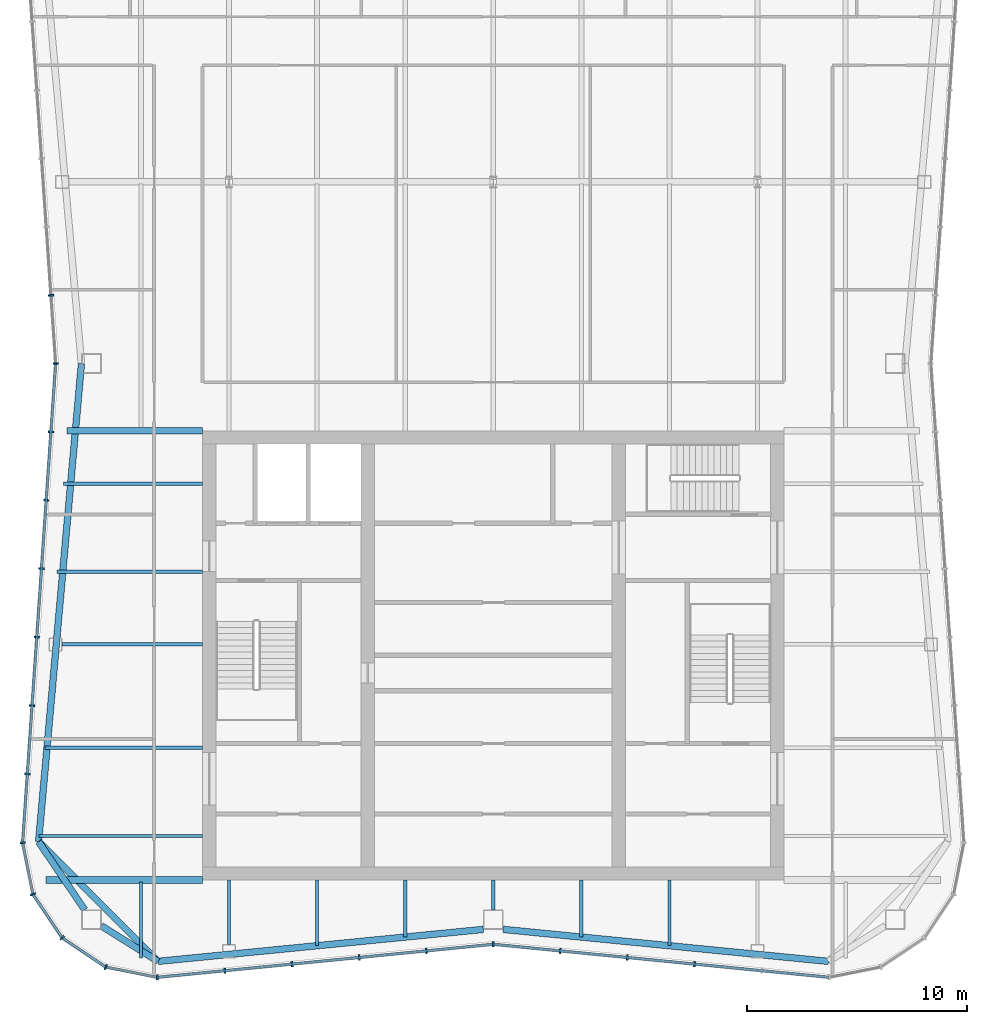
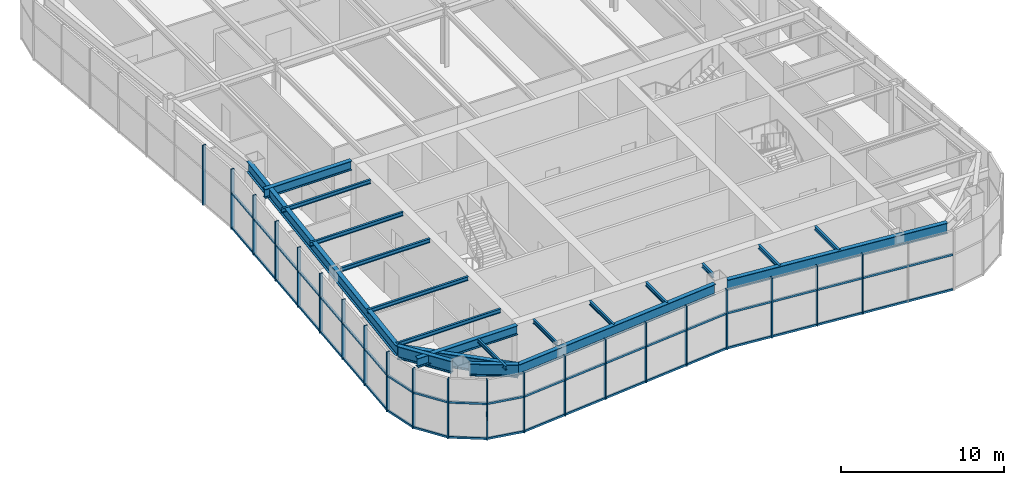
# One storey, part 3 of 13: 35 members, 20 beams, 3 elements without a shape of their own.
"""IFC4 building model written with IfcOpenShell, lengths in metres."""

import ifcopenshell
import ifcopenshell.guid

model = None  # the IFC model being written
_history = None  # IfcOwnerHistory: only IFC2X3 demands one
_inside = {}  # id of a spatial element -> (the spatial element, [elements in it])
_under = {}  # id of a project, library or spatial element -> (it, [spatial elements below it])
_declared = {}  # id of a project -> (the project, [libraries it declares])
_typed = {}  # id of a type object -> (the type object, [elements of that type])
_made_of = {}  # id of a material, layer set ... -> (it, [elements and type objects made of it])


def new_model(schema):
    """Start an empty IFC model of exactly this schema.

    Asked for "IFC4X3", IfcOpenShell would pick the latest addendum, in which some entities
    have other attributes; the version numbers below select the first issue.
    IFC2X3 requires an IfcOwnerHistory on every rooted entity: one is made here for all.
    """
    global model, _history
    if schema == "IFC4X3":
        model = ifcopenshell.file(schema_version=(4, 3, 0, 0))
    else:
        model = ifcopenshell.file(schema=schema)
    _inside.clear()
    _under.clear()
    _declared.clear()
    _typed.clear()
    _made_of.clear()
    _history = None
    if model.schema == "IFC2X3":
        org = make("IfcOrganization", Name="unknown")
        user = make(
            "IfcPersonAndOrganization",
            ThePerson=make("IfcPerson", FamilyName="unknown"),
            TheOrganization=org,
        )
        app = make(
            "IfcApplication",
            ApplicationDeveloper=org,
            Version="unknown",
            ApplicationFullName="unknown",
            ApplicationIdentifier="unknown",
        )
        _history = make(
            "IfcOwnerHistory",
            OwningUser=user,
            OwningApplication=app,
            ChangeAction="ADDED",
            CreationDate=0,
        )
    return model


def make(cls, **values):
    """One entity of the class cls with the attributes given. An attribute that is None is left unset."""
    return model.create_entity(
        cls, **{name: value for name, value in values.items() if value is not None}
    )


def rooted(cls, **values):
    """An entity with a GlobalId (a new one), such as an element, a storey or a relation."""
    return make(cls, GlobalId=ifcopenshell.guid.new(), OwnerHistory=_history, **values)


def si_unit(unit_type, name, prefix=None):
    """IfcSIUnit, for example si_unit("LENGTHUNIT", "METRE", prefix="MILLI")."""
    return make("IfcSIUnit", UnitType=unit_type, Prefix=prefix, Name=name)


def assignment(units):
    """IfcUnitAssignment: the units of a project."""
    return None if units is None else make("IfcUnitAssignment", Units=units)


def point(xyz):
    """IfcCartesianPoint."""
    return None if xyz is None else make("IfcCartesianPoint", Coordinates=xyz)


def direction(xyz):
    """IfcDirection."""
    return None if xyz is None else make("IfcDirection", DirectionRatios=xyz)


def frame(location, z_axis=None, x_axis=None):
    """IfcAxis2Placement3D, a coordinate frame: its origin and axes. An axis left out is left unset."""
    return make(
        "IfcAxis2Placement3D",
        Location=point(location),
        Axis=direction(z_axis),
        RefDirection=direction(x_axis),
    )


def frame_2d(location, x_axis=None):
    """IfcAxis2Placement2D, a coordinate frame in the plane: its origin and x axis."""
    return make(
        "IfcAxis2Placement2D", Location=point(location), RefDirection=direction(x_axis)
    )


def origin():
    """The frame at (0, 0, 0) with its axes left unset."""
    return frame((0.0, 0.0, 0.0))


def origin_2d():
    """The frame at (0, 0) in the plane with its x axis left unset."""
    return frame_2d((0.0, 0.0))


def place(relative_to, where):
    """IfcLocalPlacement: puts the frame where relative to a parent placement (None: the world)."""
    return make(
        "IfcLocalPlacement", PlacementRelTo=relative_to, RelativePlacement=where
    )


def context(
    kind, dimensions, precision=None, world=None, true_north=None, identifier=None
):
    """IfcGeometricRepresentationContext, for example the 3D "Model" context."""
    return make(
        "IfcGeometricRepresentationContext",
        ContextIdentifier=identifier,
        ContextType=kind,
        CoordinateSpaceDimension=dimensions,
        Precision=precision,
        WorldCoordinateSystem=world,
        TrueNorth=true_north,
    )


def subcontext(parent, identifier, kind, view, scale=None):
    """IfcGeometricRepresentationSubContext, for example "Body" below "Model"."""
    return make(
        "IfcGeometricRepresentationSubContext",
        ContextIdentifier=identifier,
        ContextType=kind,
        ParentContext=parent,
        TargetScale=scale,
        TargetView=view,
    )


def project(units=None, contexts=None):
    """IfcProject with its units and contexts."""
    return rooted(
        "IfcProject",
        Name="project",
        RepresentationContexts=contexts,
        UnitsInContext=assignment(units),
    )


def spatial(cls, under=None, at=None, **own):
    """A site, building, storey or space (cls), placed at a placement, below another one or the project."""
    s = rooted(cls, ObjectPlacement=at, **own)
    if under is not None:
        _under.setdefault(under.id(), (under, []))[1].append(s)
    return s


def profile(cls, at=None, kind="AREA", **sizes):
    """A parametric profile (cls). Its sizes go by their IFC names, for example OverallWidth=200.0."""
    return make(cls, ProfileType=kind, Position=at, **sizes)


def rectangle(**sizes):
    """IfcRectangleProfileDef."""
    return profile("IfcRectangleProfileDef", **sizes)


def i_section(**sizes):
    """IfcIShapeProfileDef."""
    return profile("IfcIShapeProfileDef", **sizes)


def extrude(swept, where, along, depth):
    """IfcExtrudedAreaSolid: the profile swept, set in the frame where, extruded along a direction by depth."""
    return make(
        "IfcExtrudedAreaSolid",
        SweptArea=swept,
        Position=where,
        ExtrudedDirection=direction(along),
        Depth=depth,
    )


def shape(context_of_items, identifier, shape_type, items):
    """IfcShapeRepresentation: the items that make up one representation, for example the "Body"."""
    return make(
        "IfcShapeRepresentation",
        ContextOfItems=context_of_items,
        RepresentationIdentifier=identifier,
        RepresentationType=shape_type,
        Items=items,
    )


def material(Name=None, Category=None):
    """IfcMaterial."""
    return make("IfcMaterial", Name=Name, Category=Category)


def material_profile(
    of_material, cross_section, Name=None, Category=None, Priority=None
):
    """IfcMaterialProfile: a cross section and its material."""
    return make(
        "IfcMaterialProfile",
        Name=Name,
        Material=of_material,
        Profile=cross_section,
        Priority=Priority,
        Category=Category,
    )


def profile_set(profiles, Name=None, composite=None):
    """IfcMaterialProfileSet."""
    return make(
        "IfcMaterialProfileSet",
        Name=Name,
        MaterialProfiles=profiles,
        CompositeProfile=composite,
    )


def made_of(thing, what):
    """Note that an element or type object is made of a material, layer set ...; save() writes the relation."""
    if what is not None:
        _made_of.setdefault(what.id(), (what, []))[1].append(thing)
    return thing


def type_object(cls, material=None, **own):
    """A type object (cls), such as IfcWallType, which elements share."""
    return made_of(rooted(cls, **own), material)


def element(
    cls,
    number,
    at=None,
    inside=None,
    cuts=None,
    type_object=None,
    material=None,
    context=None,
    identifier="Body",
    shape_type=None,
    held_by="IfcProductDefinitionShape",
    body=None,
    shapes=None,
    **own,
):
    """One element of the class cls, such as IfcWall. Its Tag is "e" and its number.

    at: its placement. inside: the storey or other place that contains it. cuts: it is an
    opening in that element (IfcRelVoidsElement). A single representation is given by context,
    identifier, shape_type and body (its items); several are given by shapes. held_by: the class
    of the entity that holds the representations. save() writes the other relations.
    """
    e = rooted(cls, Tag="e%d" % number, ObjectPlacement=at, **own)
    if body is not None:
        shapes = [shape(context, identifier, shape_type, body)]
    if shapes is not None:
        e.Representation = make(held_by, Representations=shapes)
    if inside is not None:
        _inside.setdefault(inside.id(), (inside, []))[1].append(e)
    if cuts is not None:
        rooted(
            "IfcRelVoidsElement", RelatingBuildingElement=cuts, RelatedOpeningElement=e
        )
    if type_object is not None:
        _typed.setdefault(type_object.id(), (type_object, []))[1].append(e)
    return made_of(e, material)


def aggregate(whole, parts):
    """IfcRelAggregates: a whole, such as a stair, and the parts it consists of."""
    return rooted("IfcRelAggregates", RelatingObject=whole, RelatedObjects=parts)


def save(model, path):
    """Write the relations noted so far, then the file.

    IfcRelAggregates (storeys below a building ...), IfcRelContainedInSpatialStructure (elements
    in a storey), IfcRelDefinesByType, IfcRelAssociatesMaterial and IfcRelDeclares: one each for
    every whole, place, type object, material and project.
    """
    for whole, parts in _under.values():
        aggregate(whole, parts)
    for where, things in _inside.values():
        rooted(
            "IfcRelContainedInSpatialStructure",
            RelatedElements=things,
            RelatingStructure=where,
        )
    for kind, things in _typed.values():
        rooted("IfcRelDefinesByType", RelatedObjects=things, RelatingType=kind)
    for what, things in _made_of.values():
        rooted("IfcRelAssociatesMaterial", RelatedObjects=things, RelatingMaterial=what)
    for by, libraries in _declared.values():
        rooted("IfcRelDeclares", RelatingContext=by, RelatedDefinitions=libraries)
    model.write(path)


model = new_model("IFC4")

# Units and contexts
model_context = context("Model", 3, precision=1e-05, world=origin(), true_north=direction((0.0, 1.0)))
body_context = subcontext(model_context, "Body", "Model", "MODEL_VIEW")
ifc_project = project(units=[si_unit("LENGTHUNIT", "METRE"), si_unit("AREAUNIT", "SQUARE_METRE"), si_unit("VOLUMEUNIT", "CUBIC_METRE"), si_unit("PLANEANGLEUNIT", "RADIAN"), si_unit("MASSUNIT", "GRAM", prefix="KILO")], contexts=[model_context])

# Site, building, storey
site_placement = place(None, origin())
site = spatial("IfcSite", under=ifc_project, at=site_placement, CompositionType="ELEMENT")
building_placement = place(site_placement, origin())
building = spatial("IfcBuilding", under=site, at=building_placement, Name="Verdant Reach Tower", CompositionType="ELEMENT")
storey_placement = place(building_placement, frame((0.0, 0.0, 359.5)))
storey = spatial("IfcBuildingStorey", under=building, at=storey_placement, Name="L81 Plant", CompositionType="ELEMENT", Elevation=359.5)

# Curtain wall, members
ifc_material_1 = material(Name="Anodised aluminium", Category="aluminium")
curtain_wall_type = type_object("IfcCurtainWallType", Name="EN-CW SYSTEM PLANT", PredefinedType="NOTDEFINED", material=ifc_material_1)
curtain_wall_1_placement = place(storey_placement, origin())
curtain_wall_1 = element("IfcCurtainWall", 1, at=curtain_wall_1_placement, inside=storey, type_object=curtain_wall_type, Name="Curtain wall west, L81", PredefinedType="NOTDEFINED")
ifc_material_profile_1 = material_profile(ifc_material_1, rectangle(XDim=0.238037109375, YDim=0.080078125, at=origin_2d()), Name="Mullion 80x240")
ifc_profile_set_1 = profile_set([ifc_material_profile_1], Name="Anodised aluminium")
member_type_1 = type_object("IfcMemberType", Name="EN-MULLION PLANT", PredefinedType="MULLION", material=ifc_profile_set_1)
member_1_placement = place(storey_placement, frame((-20.0830078125, 44.348876953125, -0.35009765625), z_axis=(0.0, 0.0, 1.0), x_axis=(-0.997630328423, -0.068802091615, 0.0)))
member_1 = element("IfcMember", 2, at=member_1_placement, type_object=member_type_1, Name="Mullion west face part 1 7, L81", PredefinedType="MULLION", context=body_context, shape_type="SweptSolid", body=[
    extrude(rectangle(XDim=0.238037109375, YDim=0.080078125, at=origin_2d()), origin(), (0.0, 0.0, 1.0), 4.5),
])
member_2_placement = place(storey_placement, frame((-19.868896484375, 41.25, -0.35009765625), z_axis=(0.0, 0.0, 1.0), x_axis=(-1.0, 0.0, 0.0)))
member_2 = element("IfcMember", 3, at=member_2_placement, type_object=member_type_1, Name="Mullion west face part 2 1, L81", PredefinedType="MULLION", context=body_context, shape_type="SweptSolid", body=[
    extrude(rectangle(XDim=0.238037109375, YDim=0.080078125, at=origin_2d()), origin(), (0.0, 0.0, 1.0), 4.5),
])
member_3_placement = place(storey_placement, frame((-20.0830078125, 38.151123046875, -0.35009765625), z_axis=(0.0, 0.0, 1.0), x_axis=(-0.997630328423, 0.068802091615, 0.0)))
member_3 = element("IfcMember", 4, at=member_3_placement, type_object=member_type_1, Name="Mullion west face part 2 2, L81", PredefinedType="MULLION", context=body_context, shape_type="SweptSolid", body=[
    extrude(rectangle(XDim=0.238037109375, YDim=0.080078125, at=origin_2d()), origin(), (0.0, 0.0, 1.0), 4.5),
])
member_4_placement = place(storey_placement, frame((-20.29736328125, 35.0439453125, -0.35009765625), z_axis=(0.0, 0.0, 1.0), x_axis=(-0.997630328423, 0.068802091615, 0.0)))
member_4 = element("IfcMember", 5, at=member_4_placement, type_object=member_type_1, Name="Mullion west face part 2 3, L81", PredefinedType="MULLION", context=body_context, shape_type="SweptSolid", body=[
    extrude(rectangle(XDim=0.238037109375, YDim=0.080078125, at=origin_2d()), origin(), (0.0, 0.0, 1.0), 4.5),
])
member_5_placement = place(storey_placement, frame((-20.511474609375, 31.936767578125, -0.35009765625), z_axis=(0.0, 0.0, 1.0), x_axis=(-0.997630328423, 0.068802091615, 0.0)))
member_5 = element("IfcMember", 6, at=member_5_placement, type_object=member_type_1, Name="Mullion west face part 2 4, L81", PredefinedType="MULLION", context=body_context, shape_type="SweptSolid", body=[
    extrude(rectangle(XDim=0.238037109375, YDim=0.080078125, at=origin_2d()), origin(), (0.0, 0.0, 1.0), 4.5),
])
member_6_placement = place(storey_placement, frame((-20.725830078125, 28.82958984375, -0.35009765625), z_axis=(0.0, 0.0, 1.0), x_axis=(-0.997630328423, 0.068802091615, 0.0)))
member_6 = element("IfcMember", 7, at=member_6_placement, type_object=member_type_1, Name="Mullion west face part 2 5, L81", PredefinedType="MULLION", context=body_context, shape_type="SweptSolid", body=[
    extrude(rectangle(XDim=0.238037109375, YDim=0.080078125, at=origin_2d()), origin(), (0.0, 0.0, 1.0), 4.5),
])
member_7_placement = place(storey_placement, frame((-20.940185546875, 25.722412109375, -0.35009765625), z_axis=(0.0, 0.0, 1.0), x_axis=(-0.997630328423, 0.068802091615, 0.0)))
member_7 = element("IfcMember", 8, at=member_7_placement, type_object=member_type_1, Name="Mullion west face part 2 6, L81", PredefinedType="MULLION", context=body_context, shape_type="SweptSolid", body=[
    extrude(rectangle(XDim=0.238037109375, YDim=0.080078125, at=origin_2d()), origin(), (0.0, 0.0, 1.0), 4.5),
])
member_8_placement = place(storey_placement, frame((-21.154541015625, 22.615234375, -0.35009765625), z_axis=(0.0, 0.0, 1.0), x_axis=(-0.997630328423, 0.068802091615, 0.0)))
member_8 = element("IfcMember", 9, at=member_8_placement, type_object=member_type_1, Name="Mullion west face part 2 7, L81", PredefinedType="MULLION", context=body_context, shape_type="SweptSolid", body=[
    extrude(rectangle(XDim=0.238037109375, YDim=0.080078125, at=origin_2d()), origin(), (0.0, 0.0, 1.0), 4.5),
])

curtain_wall_2_placement = place(storey_placement, origin())
curtain_wall_2 = element("IfcCurtainWall", 10, at=curtain_wall_2_placement, inside=storey, type_object=curtain_wall_type, Name="Curtain wall south-west corner, L81", PredefinedType="NOTDEFINED")
member_9_placement = place(storey_placement, frame((-21.36865234375, 19.492431640625, -0.35009765625), z_axis=(0.0, 0.0, 1.0), x_axis=(-0.997969180898, -0.063698618332, 0.0)))
member_9 = element("IfcMember", 11, at=member_9_placement, type_object=member_type_1, Name="Mullion south-west corner 1, L81", PredefinedType="MULLION", context=body_context, shape_type="SweptSolid", body=[
    extrude(rectangle(XDim=0.238037109375, YDim=0.080078125, at=origin_2d()), origin(), (0.0, 0.0, 1.0), 4.5),
])
member_10_placement = place(storey_placement, frame((-20.9033203125, 17.158447265625, -0.35009765625), z_axis=(0.0, 0.0, 1.0), x_axis=(-0.923875215753, -0.382693853776, 0.0)))
member_10 = element("IfcMember", 12, at=member_10_placement, type_object=member_type_1, Name="Mullion south-west corner 2, L81", PredefinedType="MULLION", context=body_context, shape_type="SweptSolid", body=[
    extrude(rectangle(XDim=0.238037109375, YDim=0.080078125, at=origin_2d()), origin(), (0.0, 0.0, 1.0), 4.5),
])
member_11_placement = place(storey_placement, frame((-19.57666015625, 15.17333984375, -0.35009765625), z_axis=(0.0, 0.0, 1.0), x_axis=(-0.707106781187, -0.707106781187, 0.0)))
member_11 = element("IfcMember", 13, at=member_11_placement, type_object=member_type_1, Name="Mullion south-west corner 3, L81", PredefinedType="MULLION", context=body_context, shape_type="SweptSolid", body=[
    extrude(rectangle(XDim=0.238037109375, YDim=0.080078125, at=origin_2d()), origin(), (0.0, 0.0, 1.0), 4.5),
])
member_12_placement = place(storey_placement, frame((-17.591552734375, 13.8466796875, -0.35009765625), z_axis=(0.0, 0.0, 1.0), x_axis=(-0.382693853776, -0.923875215753, 0.0)))
member_12 = element("IfcMember", 14, at=member_12_placement, type_object=member_type_1, Name="Mullion south-west corner 4, L81", PredefinedType="MULLION", context=body_context, shape_type="SweptSolid", body=[
    extrude(rectangle(XDim=0.238037109375, YDim=0.080078125, at=origin_2d()), origin(), (0.0, 0.0, 1.0), 4.5),
])

curtain_wall_3_placement = place(storey_placement, origin())
curtain_wall_3 = element("IfcCurtainWall", 15, at=curtain_wall_3_placement, inside=storey, type_object=curtain_wall_type, Name="Curtain wall south, L81", PredefinedType="NOTDEFINED")
member_13_placement = place(storey_placement, frame((-15.255859375, 13.381103515625, -0.35009765625), z_axis=(0.0, 0.0, 1.0), x_axis=(-0.049127596288, -0.998792510626, 0.0)))
member_13 = element("IfcMember", 16, at=member_13_placement, type_object=member_type_1, Name="Mullion south face part 1 1, L81", PredefinedType="MULLION", context=body_context, shape_type="SweptSolid", body=[
    extrude(rectangle(XDim=0.238037109375, YDim=0.080078125, at=origin_2d()), origin(), (0.0, 0.0, 1.0), 4.5),
])
member_14_placement = place(storey_placement, frame((-12.188232421875, 13.681640625, -0.35009765625), z_axis=(0.0, 0.0, 1.0), x_axis=(0.09788826992, -0.995197410875, 0.0)))
member_14 = element("IfcMember", 17, at=member_14_placement, type_object=member_type_1, Name="Mullion south face part 1 2, L81", PredefinedType="MULLION", context=body_context, shape_type="SweptSolid", body=[
    extrude(rectangle(XDim=0.238037109375, YDim=0.080078125, at=origin_2d()), origin(), (0.0, 0.0, 1.0), 4.5),
])
member_15_placement = place(storey_placement, frame((-9.138427734375, 13.981689453125, -0.35009765625), z_axis=(0.0, 0.0, 1.0), x_axis=(0.09788826992, -0.995197410875, 0.0)))
member_15 = element("IfcMember", 18, at=member_15_placement, type_object=member_type_1, Name="Mullion south face part 1 3, L81", PredefinedType="MULLION", context=body_context, shape_type="SweptSolid", body=[
    extrude(rectangle(XDim=0.238037109375, YDim=0.080078125, at=origin_2d()), origin(), (0.0, 0.0, 1.0), 4.5),
])
member_16_placement = place(storey_placement, frame((-6.08837890625, 14.281494140625, -0.35009765625), z_axis=(0.0, 0.0, 1.0), x_axis=(0.09788826992, -0.995197410875, 0.0)))
member_16 = element("IfcMember", 19, at=member_16_placement, type_object=member_type_1, Name="Mullion south face part 1 4, L81", PredefinedType="MULLION", context=body_context, shape_type="SweptSolid", body=[
    extrude(rectangle(XDim=0.238037109375, YDim=0.080078125, at=origin_2d()), origin(), (0.0, 0.0, 1.0), 4.5),
])
member_17_placement = place(storey_placement, frame((-3.038330078125, 14.58154296875, -0.35009765625), z_axis=(0.0, 0.0, 1.0), x_axis=(0.09788826992, -0.995197410875, 0.0)))
member_17 = element("IfcMember", 20, at=member_17_placement, type_object=member_type_1, Name="Mullion south face part 1 5, L81", PredefinedType="MULLION", context=body_context, shape_type="SweptSolid", body=[
    extrude(rectangle(XDim=0.238037109375, YDim=0.080078125, at=origin_2d()), origin(), (0.0, 0.0, 1.0), 4.5),
])
member_18_placement = place(storey_placement, frame((0.0, 14.881103515625, -0.35009765625), z_axis=(0.0, 0.0, 1.0), x_axis=(0.0, -1.0, 0.0)))
member_18 = element("IfcMember", 21, at=member_18_placement, type_object=member_type_1, Name="Mullion south face part 2 1, L81", PredefinedType="MULLION", context=body_context, shape_type="SweptSolid", body=[
    extrude(rectangle(XDim=0.238037109375, YDim=0.080078125, at=origin_2d()), origin(), (0.0, 0.0, 1.0), 4.5),
])
member_19_placement = place(storey_placement, frame((3.038330078125, 14.58154296875, -0.35009765625), z_axis=(0.0, 0.0, 1.0), x_axis=(-0.09788826992, -0.995197410875, 0.0)))
member_19 = element("IfcMember", 22, at=member_19_placement, type_object=member_type_1, Name="Mullion south face part 2 2, L81", PredefinedType="MULLION", context=body_context, shape_type="SweptSolid", body=[
    extrude(rectangle(XDim=0.238037109375, YDim=0.080078125, at=origin_2d()), origin(), (0.0, 0.0, 1.0), 4.5),
])
member_20_placement = place(storey_placement, frame((6.08837890625, 14.281494140625, -0.35009765625), z_axis=(0.0, 0.0, 1.0), x_axis=(-0.09788826992, -0.995197410875, 0.0)))
member_20 = element("IfcMember", 23, at=member_20_placement, type_object=member_type_1, Name="Mullion south face part 2 3, L81", PredefinedType="MULLION", context=body_context, shape_type="SweptSolid", body=[
    extrude(rectangle(XDim=0.238037109375, YDim=0.080078125, at=origin_2d()), origin(), (0.0, 0.0, 1.0), 4.5),
])
member_21_placement = place(storey_placement, frame((9.138427734375, 13.981689453125, -0.35009765625), z_axis=(0.0, 0.0, 1.0), x_axis=(-0.09788826992, -0.995197410875, 0.0)))
member_21 = element("IfcMember", 24, at=member_21_placement, type_object=member_type_1, Name="Mullion south face part 2 4, L81", PredefinedType="MULLION", context=body_context, shape_type="SweptSolid", body=[
    extrude(rectangle(XDim=0.238037109375, YDim=0.080078125, at=origin_2d()), origin(), (0.0, 0.0, 1.0), 4.5),
])

# Member
ifc_material_profile_2 = material_profile(ifc_material_1, rectangle(XDim=0.1201171875, YDim=0.14990234375, at=origin_2d()), Name="Transom 150x120")
ifc_profile_set_2 = profile_set([ifc_material_profile_2], Name="Anodised aluminium")
member_type_2 = type_object("IfcMemberType", Name="EN-TRANSOM PLANT", PredefinedType="USERDEFINED", material=ifc_profile_set_2)
member_22_placement = place(storey_placement, frame((-19.871826171875, 41.210205078125, -0.27490234375), z_axis=(-0.068761218296, -0.997633146431, 0.0), x_axis=(0.997633146431, -0.068761218296, 0.0)))
member_22 = element("IfcMember", 25, at=member_22_placement, type_object=member_type_2, Name="Transom west face part 2 1.1, L81", ObjectType="TRANSOM", PredefinedType="USERDEFINED", context=body_context, shape_type="SweptSolid", body=[
    extrude(rectangle(XDim=0.1201171875, YDim=0.14990234375, at=origin_2d()), origin(), (0.0, 0.0, 1.0), 21.7294921875),
])

member_23_placement = place(storey_placement, frame((-19.871826171875, 41.210205078125, 2.35009765625), z_axis=(-0.068761218296, -0.997633146431, 0.0), x_axis=(0.997633146431, -0.068761218296, 0.0)))
member_23 = element("IfcMember", 26, at=member_23_placement, type_object=member_type_2, Name="Transom west face part 2 1.2, L81", ObjectType="TRANSOM", PredefinedType="USERDEFINED", context=body_context, shape_type="SweptSolid", body=[
    extrude(rectangle(XDim=0.1201171875, YDim=0.14990234375, at=origin_2d()), origin(), (0.0, 0.0, 1.0), 21.7294921875),
])

aggregate(curtain_wall_1, [member_1, member_2, member_3, member_4, member_5, member_6, member_7, member_8, member_22, member_23])

member_24_placement = place(storey_placement, frame((-21.36083984375, 19.453125, -0.27490234375), z_axis=(0.195524121666, -0.980698892549, 0.0), x_axis=(0.980698892549, 0.195524121666, 0.0)))
member_24 = element("IfcMember", 27, at=member_24_placement, type_object=member_type_2, Name="Transom south-west corner 1.1, L81", ObjectType="TRANSOM", PredefinedType="USERDEFINED", context=body_context, shape_type="SweptSolid", body=[
    extrude(rectangle(XDim=0.1201171875, YDim=0.14990234375, at=origin_2d()), origin(), (0.0, 0.0, 1.0), 2.300048828125),
])

member_25_placement = place(storey_placement, frame((-20.881103515625, 17.125, -0.27490234375), z_axis=(0.5556764556, -0.831398626828, 0.0), x_axis=(0.831398626828, 0.5556764556, 0.0)))
member_25 = element("IfcMember", 28, at=member_25_placement, type_object=member_type_2, Name="Transom south-west corner 2.1, L81", ObjectType="TRANSOM", PredefinedType="USERDEFINED", context=body_context, shape_type="SweptSolid", body=[
    extrude(rectangle(XDim=0.1201171875, YDim=0.14990234375, at=origin_2d()), origin(), (0.0, 0.0, 1.0), 2.3076171875),
])

member_26_placement = place(storey_placement, frame((-19.54345703125, 15.151123046875, -0.27490234375), z_axis=(0.831398626828, -0.5556764556, 0.0), x_axis=(0.5556764556, 0.831398626828, 0.0)))
member_26 = element("IfcMember", 29, at=member_26_placement, type_object=member_type_2, Name="Transom south-west corner 3.1, L81", ObjectType="TRANSOM", PredefinedType="USERDEFINED", context=body_context, shape_type="SweptSolid", body=[
    extrude(rectangle(XDim=0.1201171875, YDim=0.14990234375, at=origin_2d()), origin(), (0.0, 0.0, 1.0), 2.3076171875),
])

member_27_placement = place(storey_placement, frame((-17.552490234375, 13.8388671875, -0.27490234375), z_axis=(0.980706937788, -0.195483764476, 0.0), x_axis=(0.195483764476, 0.980706937788, 0.0)))
member_27 = element("IfcMember", 30, at=member_27_placement, type_object=member_type_2, Name="Transom south-west corner 4.1, L81", ObjectType="TRANSOM", PredefinedType="USERDEFINED", context=body_context, shape_type="SweptSolid", body=[
    extrude(rectangle(XDim=0.1201171875, YDim=0.14990234375, at=origin_2d()), origin(), (0.0, 0.0, 1.0), 2.3017578125),
])

member_28_placement = place(storey_placement, frame((-21.36083984375, 19.453125, 2.35009765625), z_axis=(0.195524121666, -0.980698892549, 0.0), x_axis=(0.980698892549, 0.195524121666, 0.0)))
member_28 = element("IfcMember", 31, at=member_28_placement, type_object=member_type_2, Name="Transom south-west corner 1.2, L81", ObjectType="TRANSOM", PredefinedType="USERDEFINED", context=body_context, shape_type="SweptSolid", body=[
    extrude(rectangle(XDim=0.1201171875, YDim=0.14990234375, at=origin_2d()), origin(), (0.0, 0.0, 1.0), 2.300048828125),
])

member_29_placement = place(storey_placement, frame((-20.881103515625, 17.125, 2.35009765625), z_axis=(0.5556764556, -0.831398626828, 0.0), x_axis=(0.831398626828, 0.5556764556, 0.0)))
member_29 = element("IfcMember", 32, at=member_29_placement, type_object=member_type_2, Name="Transom south-west corner 2.2, L81", ObjectType="TRANSOM", PredefinedType="USERDEFINED", context=body_context, shape_type="SweptSolid", body=[
    extrude(rectangle(XDim=0.1201171875, YDim=0.14990234375, at=origin_2d()), origin(), (0.0, 0.0, 1.0), 2.3076171875),
])

member_30_placement = place(storey_placement, frame((-19.54345703125, 15.151123046875, 2.35009765625), z_axis=(0.831398626828, -0.5556764556, 0.0), x_axis=(0.5556764556, 0.831398626828, 0.0)))
member_30 = element("IfcMember", 33, at=member_30_placement, type_object=member_type_2, Name="Transom south-west corner 3.2, L81", ObjectType="TRANSOM", PredefinedType="USERDEFINED", context=body_context, shape_type="SweptSolid", body=[
    extrude(rectangle(XDim=0.1201171875, YDim=0.14990234375, at=origin_2d()), origin(), (0.0, 0.0, 1.0), 2.3076171875),
])

member_31_placement = place(storey_placement, frame((-17.552490234375, 13.8388671875, 2.35009765625), z_axis=(0.980706937788, -0.195483764476, 0.0), x_axis=(0.195483764476, 0.980706937788, 0.0)))
member_31 = element("IfcMember", 34, at=member_31_placement, type_object=member_type_2, Name="Transom south-west corner 4.2, L81", ObjectType="TRANSOM", PredefinedType="USERDEFINED", context=body_context, shape_type="SweptSolid", body=[
    extrude(rectangle(XDim=0.1201171875, YDim=0.14990234375, at=origin_2d()), origin(), (0.0, 0.0, 1.0), 2.3017578125),
])

aggregate(curtain_wall_2, [member_9, member_10, member_11, member_12, member_24, member_25, member_26, member_27, member_28, member_29, member_30, member_31])

member_32_placement = place(storey_placement, frame((-15.216064453125, 13.385009765625, -0.27490234375), z_axis=(0.995200989722, 0.097851878144, 0.0), x_axis=(-0.097851878144, 0.995200989722, 0.0)))
member_32 = element("IfcMember", 35, at=member_32_placement, type_object=member_type_2, Name="Transom south face part 1 1.1, L81", ObjectType="TRANSOM", PredefinedType="USERDEFINED", context=body_context, shape_type="SweptSolid", body=[
    extrude(rectangle(XDim=0.1201171875, YDim=0.14990234375, at=origin_2d()), origin(), (0.0, 0.0, 1.0), 15.24951171875),
])

member_33_placement = place(storey_placement, frame((-15.216064453125, 13.385009765625, 2.35009765625), z_axis=(0.995200989722, 0.097851878144, 0.0), x_axis=(-0.097851878144, 0.995200989722, 0.0)))
member_33 = element("IfcMember", 36, at=member_33_placement, type_object=member_type_2, Name="Transom south face part 1 1.2, L81", ObjectType="TRANSOM", PredefinedType="USERDEFINED", context=body_context, shape_type="SweptSolid", body=[
    extrude(rectangle(XDim=0.1201171875, YDim=0.14990234375, at=origin_2d()), origin(), (0.0, 0.0, 1.0), 15.24951171875),
])

member_34_placement = place(storey_placement, frame((0.039794921875, 14.877197265625, -0.27490234375), z_axis=(0.995200989722, -0.097851878144, 0.0), x_axis=(0.097851878144, 0.995200989722, 0.0)))
member_34 = element("IfcMember", 37, at=member_34_placement, type_object=member_type_2, Name="Transom south face part 2 1.1, L81", ObjectType="TRANSOM", PredefinedType="USERDEFINED", context=body_context, shape_type="SweptSolid", body=[
    extrude(rectangle(XDim=0.1201171875, YDim=0.14990234375, at=origin_2d()), origin(), (0.0, 0.0, 1.0), 15.24951171875),
])

member_35_placement = place(storey_placement, frame((0.039794921875, 14.877197265625, 2.35009765625), z_axis=(0.995200989722, -0.097851878144, 0.0), x_axis=(0.097851878144, 0.995200989722, 0.0)))
member_35 = element("IfcMember", 38, at=member_35_placement, type_object=member_type_2, Name="Transom south face part 2 1.2, L81", ObjectType="TRANSOM", PredefinedType="USERDEFINED", context=body_context, shape_type="SweptSolid", body=[
    extrude(rectangle(XDim=0.1201171875, YDim=0.14990234375, at=origin_2d()), origin(), (0.0, 0.0, 1.0), 15.24951171875),
])

aggregate(curtain_wall_3, [member_13, member_14, member_15, member_16, member_17, member_32, member_33, member_18, member_19, member_20, member_21, member_34, member_35])

# Beams
ifc_material_2 = material(Name="Steel S355", Category="steel")
ifc_material_profile_3 = material_profile(ifc_material_2, i_section(OverallWidth=0.300048828125, OverallDepth=0.699951171875, WebThickness=0.01708984375, FlangeThickness=0.031982421875, FilletRadius=0.027099609375, at=origin_2d()), Name="HEB 700")
ifc_profile_set_3 = profile_set([ifc_material_profile_3], Name="Steel S355")
beam_type_1 = type_object("IfcBeamType", Name="ST-BEAM-HEB700", PredefinedType="BEAM", material=ifc_profile_set_3)
beam_1_placement = place(storey_placement, frame((-13.199951171875, 38.199951171875, 4.0), z_axis=(-1.0, 0.0, 0.0), x_axis=(0.0, -1.0, 0.0)))
element("IfcBeam", 39, at=beam_1_placement, inside=storey, type_object=beam_type_1, Name="Trimmer beam, L81 Plant", PredefinedType="BEAM", context=body_context, shape_type="SweptSolid", body=[
    extrude(i_section(OverallWidth=0.300048828125, OverallDepth=0.699951171875, WebThickness=0.01708984375, FlangeThickness=0.031982421875, FilletRadius=0.027099609375, at=origin_2d()), origin(), (0.0, 0.0, 1.0), 6.158935546875),
])
beam_2_placement = place(storey_placement, frame((-13.199951171875, 17.800048828125, 4.0), z_axis=(-1.0, 0.0, 0.0), x_axis=(0.0, -1.0, 0.0)))
element("IfcBeam", 40, at=beam_2_placement, inside=storey, type_object=beam_type_1, Name="Trimmer beam, L81 Plant", PredefinedType="BEAM", context=body_context, shape_type="SweptSolid", body=[
    extrude(i_section(OverallWidth=0.300048828125, OverallDepth=0.699951171875, WebThickness=0.01708984375, FlangeThickness=0.031982421875, FilletRadius=0.027099609375, at=origin_2d()), origin(), (0.0, 0.0, 1.0), 7.10009765625),
])
ifc_material_profile_4 = material_profile(ifc_material_2, i_section(OverallWidth=0.302001953125, OverallDepth=0.909912109375, WebThickness=0.02099609375, FlangeThickness=0.0400390625, FilletRadius=0.030029296875, at=origin_2d()), Name="HEM 900")
ifc_profile_set_4 = profile_set([ifc_material_profile_4], Name="Steel S355")
beam_type_2 = type_object("IfcBeamType", Name="ST-BEAM-HEM900", PredefinedType="BEAM", material=ifc_profile_set_4)
beam_3_placement = place(storey_placement, frame((-17.800048828125, 15.71875, 3.89501953125), z_axis=(0.847903624467, -0.530150397166, 0.0), x_axis=(0.530150397166, 0.847903624467, 0.0)))
element("IfcBeam", 41, at=beam_3_placement, inside=storey, type_object=beam_type_2, Name="Column stub beam, L81 Plant", PredefinedType="BEAM", context=body_context, shape_type="SweptSolid", body=[
    extrude(i_section(OverallWidth=0.302001953125, OverallDepth=0.909912109375, WebThickness=0.02099609375, FlangeThickness=0.0400390625, FilletRadius=0.030029296875, at=origin_2d()), origin(), (0.0, 0.0, 1.0), 3.042724609375),
])
beam_4_placement = place(storey_placement, frame((-18.5546875, 16.449951171875, 3.89501953125), z_axis=(-0.560667226688, 0.828041219335, 0.0), x_axis=(-0.828041219335, -0.560667226688, 0.0)))
element("IfcBeam", 42, at=beam_4_placement, inside=storey, type_object=beam_type_2, Name="Column stub beam, L81 Plant", PredefinedType="BEAM", context=body_context, shape_type="SweptSolid", body=[
    extrude(i_section(OverallWidth=0.302001953125, OverallDepth=0.909912109375, WebThickness=0.02099609375, FlangeThickness=0.0400390625, FilletRadius=0.030029296875, at=origin_2d()), origin(), (0.0, 0.0, 1.0), 3.72998046875),
])
ifc_material_profile_5 = material_profile(ifc_material_2, i_section(OverallWidth=0.14990234375, OverallDepth=0.300048828125, WebThickness=0.007080078125, FlangeThickness=0.0107421875, FilletRadius=0.014892578125, at=origin_2d()), Name="IPE 300")
ifc_profile_set_5 = profile_set([ifc_material_profile_5], Name="Steel S355")
beam_type_3 = type_object("IfcBeamType", Name="ST-JOIST-IPE300", PredefinedType="JOIST", material=ifc_profile_set_5)
beam_5_placement = place(storey_placement, frame((-16.0, 17.699951171875, 4.199951171875), z_axis=(0.0, -1.0, 0.0), x_axis=(1.0, 0.0, 0.0)))
element("IfcBeam", 43, at=beam_5_placement, inside=storey, type_object=beam_type_3, Name="Floor joist, L81 Plant", PredefinedType="JOIST", context=body_context, shape_type="SweptSolid", body=[
    extrude(i_section(OverallWidth=0.14990234375, OverallDepth=0.300048828125, WebThickness=0.007080078125, FlangeThickness=0.0107421875, FilletRadius=0.014892578125, at=origin_2d()), origin(), (0.0, 0.0, 1.0), 3.43896484375),
])
beam_6_placement = place(storey_placement, frame((-12.0, 17.800048828125, 4.199951171875), z_axis=(0.0, -1.0, 0.0), x_axis=(1.0, 0.0, 0.0)))
element("IfcBeam", 44, at=beam_6_placement, inside=storey, type_object=beam_type_3, Name="Floor joist, L81 Plant", PredefinedType="JOIST", context=body_context, shape_type="SweptSolid", body=[
    extrude(i_section(OverallWidth=0.14990234375, OverallDepth=0.300048828125, WebThickness=0.007080078125, FlangeThickness=0.0107421875, FilletRadius=0.014892578125, at=origin_2d()), origin(), (0.0, 0.0, 1.0), 2.930419921875),
])
beam_7_placement = place(storey_placement, frame((-8.0, 17.800048828125, 4.199951171875), z_axis=(0.0, -1.0, 0.0), x_axis=(1.0, 0.0, 0.0)))
element("IfcBeam", 45, at=beam_7_placement, inside=storey, type_object=beam_type_3, Name="Floor joist, L81 Plant", PredefinedType="JOIST", context=body_context, shape_type="SweptSolid", body=[
    extrude(i_section(OverallWidth=0.14990234375, OverallDepth=0.300048828125, WebThickness=0.007080078125, FlangeThickness=0.0107421875, FilletRadius=0.014892578125, at=origin_2d()), origin(), (0.0, 0.0, 1.0), 2.984130859375),
])
beam_8_placement = place(storey_placement, frame((-4.0, 17.800048828125, 4.199951171875), z_axis=(0.0, -1.0, 0.0), x_axis=(1.0, 0.0, 0.0)))
element("IfcBeam", 46, at=beam_8_placement, inside=storey, type_object=beam_type_3, Name="Floor joist, L81 Plant", PredefinedType="JOIST", context=body_context, shape_type="SweptSolid", body=[
    extrude(i_section(OverallWidth=0.14990234375, OverallDepth=0.300048828125, WebThickness=0.007080078125, FlangeThickness=0.0107421875, FilletRadius=0.014892578125, at=origin_2d()), origin(), (0.0, 0.0, 1.0), 2.590576171875),
])
beam_9_placement = place(storey_placement, frame((0.0, 17.800048828125, 4.199951171875), z_axis=(0.0, -1.0, 0.0), x_axis=(1.0, 0.0, 0.0)))
element("IfcBeam", 47, at=beam_9_placement, inside=storey, type_object=beam_type_3, Name="Floor joist, L81 Plant", PredefinedType="JOIST", context=body_context, shape_type="SweptSolid", body=[
    extrude(i_section(OverallWidth=0.14990234375, OverallDepth=0.300048828125, WebThickness=0.007080078125, FlangeThickness=0.0107421875, FilletRadius=0.014892578125, at=origin_2d()), origin(), (0.0, 0.0, 1.0), 1.35009765625),
])
beam_10_placement = place(storey_placement, frame((4.0, 17.800048828125, 4.199951171875), z_axis=(0.0, -1.0, 0.0), x_axis=(1.0, 0.0, 0.0)))
element("IfcBeam", 48, at=beam_10_placement, inside=storey, type_object=beam_type_3, Name="Floor joist, L81 Plant", PredefinedType="JOIST", context=body_context, shape_type="SweptSolid", body=[
    extrude(i_section(OverallWidth=0.14990234375, OverallDepth=0.300048828125, WebThickness=0.007080078125, FlangeThickness=0.0107421875, FilletRadius=0.014892578125, at=origin_2d()), origin(), (0.0, 0.0, 1.0), 2.590576171875),
])
beam_11_placement = place(storey_placement, frame((8.0, 17.800048828125, 4.199951171875), z_axis=(0.0, -1.0, 0.0), x_axis=(1.0, 0.0, 0.0)))
element("IfcBeam", 49, at=beam_11_placement, inside=storey, type_object=beam_type_3, Name="Floor joist, L81 Plant", PredefinedType="JOIST", context=body_context, shape_type="SweptSolid", body=[
    extrude(i_section(OverallWidth=0.14990234375, OverallDepth=0.300048828125, WebThickness=0.007080078125, FlangeThickness=0.0107421875, FilletRadius=0.014892578125, at=origin_2d()), origin(), (0.0, 0.0, 1.0), 2.984130859375),
])
beam_12_placement = place(storey_placement, frame((-13.199951171875, 19.800048828125, 4.199951171875), z_axis=(-1.0, 0.0, 0.0), x_axis=(0.0, -1.0, 0.0)))
element("IfcBeam", 50, at=beam_12_placement, inside=storey, type_object=beam_type_3, Name="Floor joist, L81 Plant", PredefinedType="JOIST", context=body_context, shape_type="SweptSolid", body=[
    extrude(i_section(OverallWidth=0.14990234375, OverallDepth=0.300048828125, WebThickness=0.007080078125, FlangeThickness=0.0107421875, FilletRadius=0.014892578125, at=origin_2d()), origin(), (0.0, 0.0, 1.0), 7.427978515625),
])
beam_13_placement = place(storey_placement, frame((-13.199951171875, 23.800048828125, 4.199951171875), z_axis=(-1.0, 0.0, 0.0), x_axis=(0.0, -1.0, 0.0)))
element("IfcBeam", 51, at=beam_13_placement, inside=storey, type_object=beam_type_3, Name="Floor joist, L81 Plant", PredefinedType="JOIST", context=body_context, shape_type="SweptSolid", body=[
    extrude(i_section(OverallWidth=0.14990234375, OverallDepth=0.300048828125, WebThickness=0.007080078125, FlangeThickness=0.0107421875, FilletRadius=0.014892578125, at=origin_2d()), origin(), (0.0, 0.0, 1.0), 7.152099609375),
])
beam_14_placement = place(storey_placement, frame((-13.199951171875, 28.5, 4.199951171875), z_axis=(-1.0, 0.0, 0.0), x_axis=(0.0, -1.0, 0.0)))
element("IfcBeam", 52, at=beam_14_placement, inside=storey, type_object=beam_type_3, Name="Floor joist, L81 Plant", PredefinedType="JOIST", context=body_context, shape_type="SweptSolid", body=[
    extrude(i_section(OverallWidth=0.14990234375, OverallDepth=0.300048828125, WebThickness=0.007080078125, FlangeThickness=0.0107421875, FilletRadius=0.014892578125, at=origin_2d()), origin(), (0.0, 0.0, 1.0), 6.37939453125),
])
beam_15_placement = place(storey_placement, frame((-13.199951171875, 31.800048828125, 4.199951171875), z_axis=(-1.0, 0.0, 0.0), x_axis=(0.0, -1.0, 0.0)))
element("IfcBeam", 53, at=beam_15_placement, inside=storey, type_object=beam_type_3, Name="Floor joist, L81 Plant", PredefinedType="JOIST", context=body_context, shape_type="SweptSolid", body=[
    extrude(i_section(OverallWidth=0.14990234375, OverallDepth=0.300048828125, WebThickness=0.007080078125, FlangeThickness=0.0107421875, FilletRadius=0.014892578125, at=origin_2d()), origin(), (0.0, 0.0, 1.0), 6.600341796875),
])
beam_16_placement = place(storey_placement, frame((-13.199951171875, 35.800048828125, 4.199951171875), z_axis=(-1.0, 0.0, 0.0), x_axis=(0.0, -1.0, 0.0)))
element("IfcBeam", 54, at=beam_16_placement, inside=storey, type_object=beam_type_3, Name="Floor joist, L81 Plant", PredefinedType="JOIST", context=body_context, shape_type="SweptSolid", body=[
    extrude(i_section(OverallWidth=0.14990234375, OverallDepth=0.300048828125, WebThickness=0.007080078125, FlangeThickness=0.0107421875, FilletRadius=0.014892578125, at=origin_2d()), origin(), (0.0, 0.0, 1.0), 6.324462890625),
])
ifc_material_profile_6 = material_profile(ifc_material_2, i_section(OverallWidth=0.300048828125, OverallDepth=0.800048828125, WebThickness=0.017578125, FlangeThickness=0.032958984375, FilletRadius=0.030029296875, at=origin_2d()), Name="HEB 800")
ifc_profile_set_6 = profile_set([ifc_material_profile_6], Name="Steel S355")
beam_type_4 = type_object("IfcBeamType", Name="ST-SPANDREL-HEB800", PredefinedType="SPANDREL", material=ifc_profile_set_6)
for number, where, z_axis, x_axis, name in (
    (55, (15.22021484375, 14.105712890625, 3.949951171875), (-0.995196964263, 0.097892810366, 0.0), (-0.097892810366, -0.995196964263, 0.0), "Edge beam, L81 Plant"),
    (56, (-0.449951171875, 15.55859375, 3.949951171875), (-0.995196964263, -0.097892810366, 0.0), (0.097892810366, -0.995196964263, 0.0), "Edge beam, L81 Plant"),
):
    element("IfcBeam", number, at=place(storey_placement, frame(where, z_axis=z_axis, x_axis=x_axis)), inside=storey, type_object=beam_type_4, Name=name, PredefinedType="SPANDREL", context=body_context, shape_type="SweptSolid", body=[
        extrude(i_section(OverallWidth=0.300048828125, OverallDepth=0.800048828125, WebThickness=0.017578125, FlangeThickness=0.032958984375, FilletRadius=0.030029296875, at=origin_2d()), origin(), (0.0, 0.0, 1.0), 14.841552734375),
    ])
beam_17_placement = place(storey_placement, frame((-20.64599609375, 19.53857421875, 3.949951171875), z_axis=(0.089274399498, 0.996007069048, 0.0), x_axis=(-0.996007069048, 0.089274399498, 0.0)))
element("IfcBeam", 57, at=beam_17_placement, inside=storey, type_object=beam_type_4, Name="Edge beam, L81 Plant", PredefinedType="SPANDREL", context=body_context, shape_type="SweptSolid", body=[
    extrude(i_section(OverallWidth=0.300048828125, OverallDepth=0.800048828125, WebThickness=0.017578125, FlangeThickness=0.032958984375, FilletRadius=0.030029296875, at=origin_2d()), origin(), (0.0, 0.0, 1.0), 21.798583984375),
])
ifc_material_profile_7 = material_profile(ifc_material_2, i_section(OverallWidth=0.302001953125, OverallDepth=1.008056640625, WebThickness=0.02099609375, FlangeThickness=0.0400390625, FilletRadius=0.030029296875, at=origin_2d()), Name="HEM 1000")
ifc_profile_set_7 = profile_set([ifc_material_profile_7], Name="Steel S355")
beam_type_5 = type_object("IfcBeamType", Name="ST-SPANDREL-HEM1000", PredefinedType="SPANDREL", material=ifc_profile_set_7)
beam_18_placement = place(storey_placement, frame((-15.22021484375, 14.105712890625, 3.845947265625), z_axis=(-0.706645581521, 0.707567680237, 0.0), x_axis=(-0.707567680237, -0.706645581521, 0.0)))
element("IfcBeam", 58, at=beam_18_placement, inside=storey, type_object=beam_type_5, Name="Edge beam, L81 Plant", PredefinedType="SPANDREL", context=body_context, shape_type="SweptSolid", body=[
    extrude(i_section(OverallWidth=0.302001953125, OverallDepth=1.008056640625, WebThickness=0.02099609375, FlangeThickness=0.0400390625, FilletRadius=0.030029296875, at=origin_2d()), origin(), (0.0, 0.0, 1.0), 7.67822265625),
])

save(model, "model.ifc")
